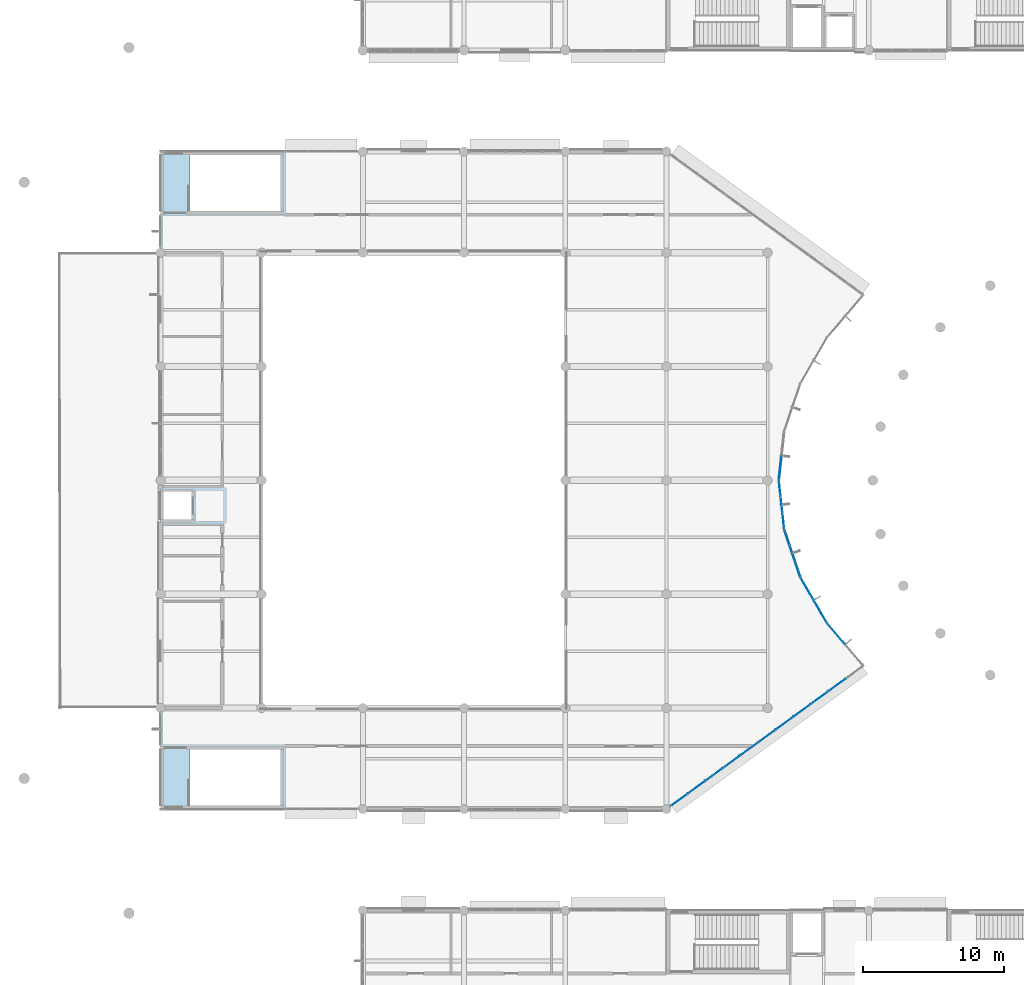
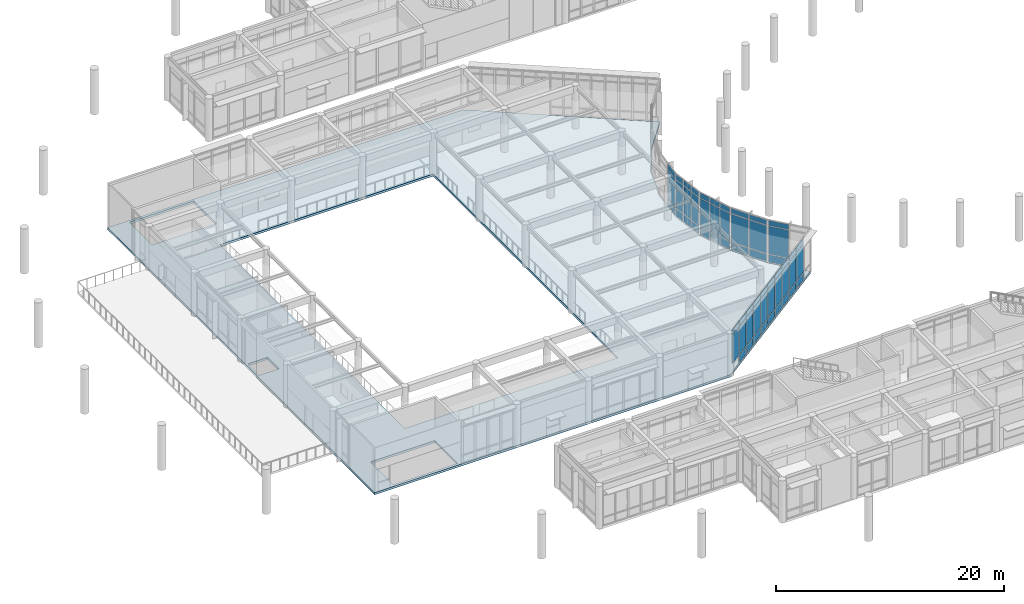
# One storey, part 36 of 92: 59 plates, 1 slab, 6 elements without a shape of their own.
"""IFC4 building model written with IfcOpenShell, lengths in metres."""

from ifc_helpers import new_model, si_unit, direction, frame, origin, origin_2d, place, context, subcontext, project, spatial, polyline, rectangle, outline, extrude, material, layer, layer_set, type_object, element, aggregate, save


model = new_model("IFC4")

# Units and contexts
model_context = context("Model", 3, precision=1e-05, world=origin(), true_north=direction((0.0, 1.0)))
body_context = subcontext(model_context, "Body", "Model", "MODEL_VIEW")
ifc_project = project(units=[si_unit("LENGTHUNIT", "METRE"), si_unit("AREAUNIT", "SQUARE_METRE"), si_unit("VOLUMEUNIT", "CUBIC_METRE"), si_unit("PLANEANGLEUNIT", "RADIAN"), si_unit("MASSUNIT", "GRAM", prefix="KILO")], contexts=[model_context])

# Site, building, storey
site_placement = place(None, origin())
site = spatial("IfcSite", under=ifc_project, at=site_placement, CompositionType="ELEMENT")
building_placement = place(site_placement, origin())
building = spatial("IfcBuilding", under=site, at=building_placement, Name="Namkhue Oval Health Centre", CompositionType="ELEMENT")
storey_placement = place(building_placement, frame((0.0, 0.0, 4.800048828125)))
storey = spatial("IfcBuildingStorey", under=building, at=storey_placement, Name="L01", CompositionType="ELEMENT", Elevation=4.800048828125)

# Curtain wall, plates
ifc_material_1 = material(Name="Anodised aluminium EN AW-6063 T6", Category="aluminium")
ifc_layer_1 = layer(ifc_material_1, 0.159912109375)
ifc_layer_set_1 = layer_set([ifc_layer_1], Name="Anodised aluminium EN AW-6063 T6")
curtain_wall_type_1 = type_object("IfcCurtainWallType", Name="UNITISED CURTAIN WALL M1200", PredefinedType="NOTDEFINED", material=ifc_layer_set_1)
curtain_wall_1_placement = place(storey_placement, origin())
curtain_wall_1 = element("IfcCurtainWall", 1, at=curtain_wall_1_placement, inside=storey, type_object=curtain_wall_type_1, Name="Volume V1 L01 Unitised Curtain Wall 25", PredefinedType="NOTDEFINED")
ifc_material_2 = material(Name="Thermally broken low-E laminated double glazing", Category="glass")
ifc_layer_2 = layer(ifc_material_2, 0.02587890625)
ifc_layer_set_2 = layer_set([ifc_layer_2], Name="Thermally broken low-E laminated double glazing")
plate_type_1 = type_object("IfcPlateType", Name="CURTAIN WALL GLAZED PANEL 26", PredefinedType="CURTAIN_PANEL", material=ifc_layer_set_2)
plate_1_placement = place(storey_placement, frame((66.94091796875, 53.083984375, 0.06494140625), z_axis=(0.0, 0.0, 1.0), x_axis=(-0.319641520458, 0.947538547184, 0.0)))
plate_1 = element("IfcPlate", 2, at=plate_1_placement, type_object=plate_type_1, Name="CW-01 panel 1.1", PredefinedType="CURTAIN_PANEL", context=body_context, shape_type="SweptSolid", body=[
    extrude(rectangle(XDim=1.102783203125, YDim=0.02587890625, at=origin_2d()), origin(), (0.0, 0.0, 1.0), 0.802490234375),
])
plate_2_placement = place(storey_placement, frame((66.94091796875, 53.083984375, 0.9326171875), z_axis=(0.0, 0.0, 1.0), x_axis=(-0.319641520458, 0.947538547184, 0.0)))
plate_2 = element("IfcPlate", 3, at=plate_2_placement, type_object=plate_type_1, Name="CW-01 panel 1.2", PredefinedType="CURTAIN_PANEL", context=body_context, shape_type="SweptSolid", body=[
    extrude(rectangle(XDim=1.102783203125, YDim=0.02587890625, at=origin_2d()), origin(), (0.0, 0.0, 1.0), 2.985107421875),
])
plate_3_placement = place(storey_placement, frame((66.94091796875, 53.083984375, 3.982421875), z_axis=(0.0, 0.0, 1.0), x_axis=(-0.319641520458, 0.947538547184, 0.0)))
plate_3 = element("IfcPlate", 4, at=plate_3_placement, type_object=plate_type_1, Name="CW-01 panel 1.3", PredefinedType="CURTAIN_PANEL", context=body_context, shape_type="SweptSolid", body=[
    extrude(rectangle(XDim=1.102783203125, YDim=0.02587890625, at=origin_2d()), origin(), (0.0, 0.0, 1.0), 0.552490234375),
])
plate_4_placement = place(storey_placement, frame((66.5625, 54.2060546875, 0.06494140625), z_axis=(0.0, 0.0, 1.0), x_axis=(-0.319641520458, 0.947538547184, 0.0)))
plate_4 = element("IfcPlate", 5, at=plate_4_placement, type_object=plate_type_1, Name="CW-01 panel 2.1", PredefinedType="CURTAIN_PANEL", context=body_context, shape_type="SweptSolid", body=[
    extrude(rectangle(XDim=1.13525390625, YDim=0.02587890625, at=origin_2d()), origin(), (0.0, 0.0, 1.0), 0.802490234375),
])
plate_5_placement = place(storey_placement, frame((66.5625, 54.2060546875, 0.9326171875), z_axis=(0.0, 0.0, 1.0), x_axis=(-0.319641520458, 0.947538547184, 0.0)))
plate_5 = element("IfcPlate", 6, at=plate_5_placement, type_object=plate_type_1, Name="CW-01 panel 2.2", PredefinedType="CURTAIN_PANEL", context=body_context, shape_type="SweptSolid", body=[
    extrude(rectangle(XDim=1.13525390625, YDim=0.02587890625, at=origin_2d()), origin(), (0.0, 0.0, 1.0), 2.985107421875),
])
plate_6_placement = place(storey_placement, frame((66.5625, 54.2060546875, 3.982421875), z_axis=(0.0, 0.0, 1.0), x_axis=(-0.319641520458, 0.947538547184, 0.0)))
plate_6 = element("IfcPlate", 7, at=plate_6_placement, type_object=plate_type_1, Name="CW-01 panel 2.3", PredefinedType="CURTAIN_PANEL", context=body_context, shape_type="SweptSolid", body=[
    extrude(rectangle(XDim=1.13525390625, YDim=0.02587890625, at=origin_2d()), origin(), (0.0, 0.0, 1.0), 0.552490234375),
])
plate_7_placement = place(storey_placement, frame((66.18408203125, 55.327880859375, 0.06494140625), z_axis=(0.0, 0.0, 1.0), x_axis=(-0.319641520458, 0.947538547184, 0.0)))
plate_7 = element("IfcPlate", 8, at=plate_7_placement, type_object=plate_type_1, Name="CW-01 panel 3.1", PredefinedType="CURTAIN_PANEL", context=body_context, shape_type="SweptSolid", body=[
    extrude(rectangle(XDim=1.102783203125, YDim=0.02587890625, at=origin_2d()), origin(), (0.0, 0.0, 1.0), 0.802490234375),
])
plate_8_placement = place(storey_placement, frame((66.18408203125, 55.327880859375, 0.9326171875), z_axis=(0.0, 0.0, 1.0), x_axis=(-0.319641520458, 0.947538547184, 0.0)))
plate_8 = element("IfcPlate", 9, at=plate_8_placement, type_object=plate_type_1, Name="CW-01 panel 3.2", PredefinedType="CURTAIN_PANEL", context=body_context, shape_type="SweptSolid", body=[
    extrude(rectangle(XDim=1.102783203125, YDim=0.02587890625, at=origin_2d()), origin(), (0.0, 0.0, 1.0), 2.985107421875),
])
plate_9_placement = place(storey_placement, frame((66.18408203125, 55.327880859375, 3.982421875), z_axis=(0.0, 0.0, 1.0), x_axis=(-0.319641520458, 0.947538547184, 0.0)))
plate_9 = element("IfcPlate", 10, at=plate_9_placement, type_object=plate_type_1, Name="CW-01 panel 3.3", PredefinedType="CURTAIN_PANEL", context=body_context, shape_type="SweptSolid", body=[
    extrude(rectangle(XDim=1.102783203125, YDim=0.02587890625, at=origin_2d()), origin(), (0.0, 0.0, 1.0), 0.552490234375),
])
aggregate(curtain_wall_1, [plate_1, plate_2, plate_3, plate_4, plate_5, plate_6, plate_7, plate_8, plate_9])

ifc_layer_3 = layer(ifc_material_1, 0.159912109375)
ifc_layer_set_3 = layer_set([ifc_layer_3], Name="Anodised aluminium EN AW-6063 T6")
curtain_wall_type_2 = type_object("IfcCurtainWallType", Name="UNITISED CURTAIN WALL M1600", PredefinedType="NOTDEFINED", material=ifc_layer_set_3)
curtain_wall_2_placement = place(storey_placement, origin())
curtain_wall_2 = element("IfcCurtainWall", 11, at=curtain_wall_2_placement, inside=storey, type_object=curtain_wall_type_2, Name="Volume V1 L01 Unitised Curtain Wall 22", PredefinedType="NOTDEFINED")
ifc_layer_4 = layer(ifc_material_2, 0.028076171875)
ifc_layer_set_4 = layer_set([ifc_layer_4], Name="Thermally broken low-E laminated double glazing")
plate_type_2 = type_object("IfcPlateType", Name="CURTAIN WALL GLAZED PANEL 28", PredefinedType="CURTAIN_PANEL", material=ifc_layer_set_4)
plate_10_placement = place(storey_placement, frame((58.5107421875, 36.662841796875, 0.9375), z_axis=(0.0, 0.0, 1.0), x_axis=(0.808513999682, 0.588476942894, 0.0)))
plate_10 = element("IfcPlate", 12, at=plate_10_placement, type_object=plate_type_2, Name="CW-04 panel 1.2", PredefinedType="CURTAIN_PANEL", context=body_context, shape_type="SweptSolid", body=[
    extrude(rectangle(XDim=1.433349609375, YDim=0.028076171875, at=origin_2d()), origin(), (0.0, 0.0, 1.0), 2.97509765625),
])
plate_11_placement = place(storey_placement, frame((58.5107421875, 36.662841796875, 3.9873046875), z_axis=(0.0, 0.0, 1.0), x_axis=(0.808513999682, 0.588476942894, 0.0)))
plate_11 = element("IfcPlate", 13, at=plate_11_placement, type_object=plate_type_2, Name="CW-04 panel 1.3", PredefinedType="CURTAIN_PANEL", context=body_context, shape_type="SweptSolid", body=[
    extrude(rectangle(XDim=1.433349609375, YDim=0.028076171875, at=origin_2d()), origin(), (0.0, 0.0, 1.0), 0.53759765625),
])
plate_12_placement = place(storey_placement, frame((59.745361328125, 37.5615234375, 0.074951171875), z_axis=(0.0, 0.0, 1.0), x_axis=(0.808513999682, 0.588476942894, 0.0)))
plate_12 = element("IfcPlate", 14, at=plate_12_placement, type_object=plate_type_2, Name="CW-04 panel 2.1", PredefinedType="CURTAIN_PANEL", context=body_context, shape_type="SweptSolid", body=[
    extrude(rectangle(XDim=1.470703125, YDim=0.028076171875, at=origin_2d()), origin(), (0.0, 0.0, 1.0), 0.78759765625),
])
plate_13_placement = place(storey_placement, frame((59.745361328125, 37.5615234375, 0.9375), z_axis=(0.0, 0.0, 1.0), x_axis=(0.808513999682, 0.588476942894, 0.0)))
plate_13 = element("IfcPlate", 15, at=plate_13_placement, type_object=plate_type_2, Name="CW-04 panel 2.2", PredefinedType="CURTAIN_PANEL", context=body_context, shape_type="SweptSolid", body=[
    extrude(rectangle(XDim=1.470703125, YDim=0.028076171875, at=origin_2d()), origin(), (0.0, 0.0, 1.0), 2.97509765625),
])
plate_14_placement = place(storey_placement, frame((59.745361328125, 37.5615234375, 3.9873046875), z_axis=(0.0, 0.0, 1.0), x_axis=(0.808513999682, 0.588476942894, 0.0)))
plate_14 = element("IfcPlate", 16, at=plate_14_placement, type_object=plate_type_2, Name="CW-04 panel 2.3", PredefinedType="CURTAIN_PANEL", context=body_context, shape_type="SweptSolid", body=[
    extrude(rectangle(XDim=1.470703125, YDim=0.028076171875, at=origin_2d()), origin(), (0.0, 0.0, 1.0), 0.53759765625),
])
plate_15_placement = place(storey_placement, frame((60.9951171875, 38.47119140625, 0.074951171875), z_axis=(0.0, 0.0, 1.0), x_axis=(0.808513999682, 0.588476942894, 0.0)))
plate_15 = element("IfcPlate", 17, at=plate_15_placement, type_object=plate_type_2, Name="CW-04 panel 3.1", PredefinedType="CURTAIN_PANEL", context=body_context, shape_type="SweptSolid", body=[
    extrude(rectangle(XDim=1.470703125, YDim=0.028076171875, at=origin_2d()), origin(), (0.0, 0.0, 1.0), 0.78759765625),
])
plate_16_placement = place(storey_placement, frame((60.9951171875, 38.47119140625, 0.9375), z_axis=(0.0, 0.0, 1.0), x_axis=(0.808513999682, 0.588476942894, 0.0)))
plate_16 = element("IfcPlate", 18, at=plate_16_placement, type_object=plate_type_2, Name="CW-04 panel 3.2", PredefinedType="CURTAIN_PANEL", context=body_context, shape_type="SweptSolid", body=[
    extrude(rectangle(XDim=1.470703125, YDim=0.028076171875, at=origin_2d()), origin(), (0.0, 0.0, 1.0), 2.97509765625),
])
plate_17_placement = place(storey_placement, frame((60.9951171875, 38.47119140625, 3.9873046875), z_axis=(0.0, 0.0, 1.0), x_axis=(0.808513999682, 0.588476942894, 0.0)))
plate_17 = element("IfcPlate", 19, at=plate_17_placement, type_object=plate_type_2, Name="CW-04 panel 3.3", PredefinedType="CURTAIN_PANEL", context=body_context, shape_type="SweptSolid", body=[
    extrude(rectangle(XDim=1.470703125, YDim=0.028076171875, at=origin_2d()), origin(), (0.0, 0.0, 1.0), 0.53759765625),
])
plate_18_placement = place(storey_placement, frame((62.244873046875, 39.380859375, 0.074951171875), z_axis=(0.0, 0.0, 1.0), x_axis=(0.808513999682, 0.588476942894, 0.0)))
plate_18 = element("IfcPlate", 20, at=plate_18_placement, type_object=plate_type_2, Name="CW-04 panel 4.1", PredefinedType="CURTAIN_PANEL", context=body_context, shape_type="SweptSolid", body=[
    extrude(rectangle(XDim=1.470703125, YDim=0.028076171875, at=origin_2d()), origin(), (0.0, 0.0, 1.0), 0.78759765625),
])
plate_19_placement = place(storey_placement, frame((62.244873046875, 39.380859375, 0.9375), z_axis=(0.0, 0.0, 1.0), x_axis=(0.808513999682, 0.588476942894, 0.0)))
plate_19 = element("IfcPlate", 21, at=plate_19_placement, type_object=plate_type_2, Name="CW-04 panel 4.2", PredefinedType="CURTAIN_PANEL", context=body_context, shape_type="SweptSolid", body=[
    extrude(rectangle(XDim=1.470703125, YDim=0.028076171875, at=origin_2d()), origin(), (0.0, 0.0, 1.0), 2.97509765625),
])
plate_20_placement = place(storey_placement, frame((62.244873046875, 39.380859375, 3.9873046875), z_axis=(0.0, 0.0, 1.0), x_axis=(0.808513999682, 0.588476942894, 0.0)))
plate_20 = element("IfcPlate", 22, at=plate_20_placement, type_object=plate_type_2, Name="CW-04 panel 4.3", PredefinedType="CURTAIN_PANEL", context=body_context, shape_type="SweptSolid", body=[
    extrude(rectangle(XDim=1.470703125, YDim=0.028076171875, at=origin_2d()), origin(), (0.0, 0.0, 1.0), 0.53759765625),
])
plate_21_placement = place(storey_placement, frame((63.49462890625, 40.29052734375, 0.074951171875), z_axis=(0.0, 0.0, 1.0), x_axis=(0.808513999682, 0.588476942894, 0.0)))
plate_21 = element("IfcPlate", 23, at=plate_21_placement, type_object=plate_type_2, Name="CW-04 panel 5.1", PredefinedType="CURTAIN_PANEL", context=body_context, shape_type="SweptSolid", body=[
    extrude(rectangle(XDim=1.470703125, YDim=0.028076171875, at=origin_2d()), origin(), (0.0, 0.0, 1.0), 0.78759765625),
])
plate_22_placement = place(storey_placement, frame((63.49462890625, 40.29052734375, 0.9375), z_axis=(0.0, 0.0, 1.0), x_axis=(0.808513999682, 0.588476942894, 0.0)))
plate_22 = element("IfcPlate", 24, at=plate_22_placement, type_object=plate_type_2, Name="CW-04 panel 5.2", PredefinedType="CURTAIN_PANEL", context=body_context, shape_type="SweptSolid", body=[
    extrude(rectangle(XDim=1.470703125, YDim=0.028076171875, at=origin_2d()), origin(), (0.0, 0.0, 1.0), 2.97509765625),
])
plate_23_placement = place(storey_placement, frame((63.49462890625, 40.29052734375, 3.9873046875), z_axis=(0.0, 0.0, 1.0), x_axis=(0.808513999682, 0.588476942894, 0.0)))
plate_23 = element("IfcPlate", 25, at=plate_23_placement, type_object=plate_type_2, Name="CW-04 panel 5.3", PredefinedType="CURTAIN_PANEL", context=body_context, shape_type="SweptSolid", body=[
    extrude(rectangle(XDim=1.470703125, YDim=0.028076171875, at=origin_2d()), origin(), (0.0, 0.0, 1.0), 0.53759765625),
])
plate_24_placement = place(storey_placement, frame((64.744384765625, 41.199951171875, 0.074951171875), z_axis=(0.0, 0.0, 1.0), x_axis=(0.808513999682, 0.588476942894, 0.0)))
plate_24 = element("IfcPlate", 26, at=plate_24_placement, type_object=plate_type_2, Name="CW-04 panel 6.1", PredefinedType="CURTAIN_PANEL", context=body_context, shape_type="SweptSolid", body=[
    extrude(rectangle(XDim=1.470703125, YDim=0.028076171875, at=origin_2d()), origin(), (0.0, 0.0, 1.0), 0.78759765625),
])
plate_25_placement = place(storey_placement, frame((64.744384765625, 41.199951171875, 0.9375), z_axis=(0.0, 0.0, 1.0), x_axis=(0.808513999682, 0.588476942894, 0.0)))
plate_25 = element("IfcPlate", 27, at=plate_25_placement, type_object=plate_type_2, Name="CW-04 panel 6.2", PredefinedType="CURTAIN_PANEL", context=body_context, shape_type="SweptSolid", body=[
    extrude(rectangle(XDim=1.470703125, YDim=0.028076171875, at=origin_2d()), origin(), (0.0, 0.0, 1.0), 2.97509765625),
])
plate_26_placement = place(storey_placement, frame((64.744384765625, 41.199951171875, 3.9873046875), z_axis=(0.0, 0.0, 1.0), x_axis=(0.808513999682, 0.588476942894, 0.0)))
plate_26 = element("IfcPlate", 28, at=plate_26_placement, type_object=plate_type_2, Name="CW-04 panel 6.3", PredefinedType="CURTAIN_PANEL", context=body_context, shape_type="SweptSolid", body=[
    extrude(rectangle(XDim=1.470703125, YDim=0.028076171875, at=origin_2d()), origin(), (0.0, 0.0, 1.0), 0.53759765625),
])
plate_27_placement = place(storey_placement, frame((65.994140625, 42.109619140625, 0.074951171875), z_axis=(0.0, 0.0, 1.0), x_axis=(0.808513999682, 0.588476942894, 0.0)))
plate_27 = element("IfcPlate", 29, at=plate_27_placement, type_object=plate_type_2, Name="CW-04 panel 7.1", PredefinedType="CURTAIN_PANEL", context=body_context, shape_type="SweptSolid", body=[
    extrude(rectangle(XDim=1.470703125, YDim=0.028076171875, at=origin_2d()), origin(), (0.0, 0.0, 1.0), 0.78759765625),
])
plate_28_placement = place(storey_placement, frame((65.994140625, 42.109619140625, 0.9375), z_axis=(0.0, 0.0, 1.0), x_axis=(0.808513999682, 0.588476942894, 0.0)))
plate_28 = element("IfcPlate", 30, at=plate_28_placement, type_object=plate_type_2, Name="CW-04 panel 7.2", PredefinedType="CURTAIN_PANEL", context=body_context, shape_type="SweptSolid", body=[
    extrude(rectangle(XDim=1.470703125, YDim=0.028076171875, at=origin_2d()), origin(), (0.0, 0.0, 1.0), 2.97509765625),
])
plate_29_placement = place(storey_placement, frame((65.994140625, 42.109619140625, 3.9873046875), z_axis=(0.0, 0.0, 1.0), x_axis=(0.808513999682, 0.588476942894, 0.0)))
plate_29 = element("IfcPlate", 31, at=plate_29_placement, type_object=plate_type_2, Name="CW-04 panel 7.3", PredefinedType="CURTAIN_PANEL", context=body_context, shape_type="SweptSolid", body=[
    extrude(rectangle(XDim=1.470703125, YDim=0.028076171875, at=origin_2d()), origin(), (0.0, 0.0, 1.0), 0.53759765625),
])
plate_30_placement = place(storey_placement, frame((67.243896484375, 43.019287109375, 0.074951171875), z_axis=(0.0, 0.0, 1.0), x_axis=(0.808513999682, 0.588476942894, 0.0)))
plate_30 = element("IfcPlate", 32, at=plate_30_placement, type_object=plate_type_2, Name="CW-04 panel 8.1", PredefinedType="CURTAIN_PANEL", context=body_context, shape_type="SweptSolid", body=[
    extrude(rectangle(XDim=1.470703125, YDim=0.028076171875, at=origin_2d()), origin(), (0.0, 0.0, 1.0), 0.78759765625),
])
plate_31_placement = place(storey_placement, frame((67.243896484375, 43.019287109375, 0.9375), z_axis=(0.0, 0.0, 1.0), x_axis=(0.808513999682, 0.588476942894, 0.0)))
plate_31 = element("IfcPlate", 33, at=plate_31_placement, type_object=plate_type_2, Name="CW-04 panel 8.2", PredefinedType="CURTAIN_PANEL", context=body_context, shape_type="SweptSolid", body=[
    extrude(rectangle(XDim=1.470703125, YDim=0.028076171875, at=origin_2d()), origin(), (0.0, 0.0, 1.0), 2.97509765625),
])
plate_32_placement = place(storey_placement, frame((67.243896484375, 43.019287109375, 3.9873046875), z_axis=(0.0, 0.0, 1.0), x_axis=(0.808513999682, 0.588476942894, 0.0)))
plate_32 = element("IfcPlate", 34, at=plate_32_placement, type_object=plate_type_2, Name="CW-04 panel 8.3", PredefinedType="CURTAIN_PANEL", context=body_context, shape_type="SweptSolid", body=[
    extrude(rectangle(XDim=1.470703125, YDim=0.028076171875, at=origin_2d()), origin(), (0.0, 0.0, 1.0), 0.53759765625),
])
plate_33_placement = place(storey_placement, frame((68.49365234375, 43.928955078125, 0.074951171875), z_axis=(0.0, 0.0, 1.0), x_axis=(0.808513999682, 0.588476942894, 0.0)))
plate_33 = element("IfcPlate", 35, at=plate_33_placement, type_object=plate_type_2, Name="CW-04 panel 9.1", PredefinedType="CURTAIN_PANEL", context=body_context, shape_type="SweptSolid", body=[
    extrude(rectangle(XDim=1.470703125, YDim=0.028076171875, at=origin_2d()), origin(), (0.0, 0.0, 1.0), 0.78759765625),
])
plate_34_placement = place(storey_placement, frame((68.49365234375, 43.928955078125, 0.9375), z_axis=(0.0, 0.0, 1.0), x_axis=(0.808513999682, 0.588476942894, 0.0)))
plate_34 = element("IfcPlate", 36, at=plate_34_placement, type_object=plate_type_2, Name="CW-04 panel 9.2", PredefinedType="CURTAIN_PANEL", context=body_context, shape_type="SweptSolid", body=[
    extrude(rectangle(XDim=1.470703125, YDim=0.028076171875, at=origin_2d()), origin(), (0.0, 0.0, 1.0), 2.97509765625),
])
plate_35_placement = place(storey_placement, frame((68.49365234375, 43.928955078125, 3.9873046875), z_axis=(0.0, 0.0, 1.0), x_axis=(0.808513999682, 0.588476942894, 0.0)))
plate_35 = element("IfcPlate", 37, at=plate_35_placement, type_object=plate_type_2, Name="CW-04 panel 9.3", PredefinedType="CURTAIN_PANEL", context=body_context, shape_type="SweptSolid", body=[
    extrude(rectangle(XDim=1.470703125, YDim=0.028076171875, at=origin_2d()), origin(), (0.0, 0.0, 1.0), 0.53759765625),
])
plate_36_placement = place(storey_placement, frame((69.743408203125, 44.838623046875, 0.074951171875), z_axis=(0.0, 0.0, 1.0), x_axis=(0.808513999682, 0.588476942894, 0.0)))
plate_36 = element("IfcPlate", 38, at=plate_36_placement, type_object=plate_type_2, Name="CW-04 panel 10.1", PredefinedType="CURTAIN_PANEL", context=body_context, shape_type="SweptSolid", body=[
    extrude(rectangle(XDim=1.470703125, YDim=0.028076171875, at=origin_2d()), origin(), (0.0, 0.0, 1.0), 0.78759765625),
])
plate_37_placement = place(storey_placement, frame((69.743408203125, 44.838623046875, 0.9375), z_axis=(0.0, 0.0, 1.0), x_axis=(0.808513999682, 0.588476942894, 0.0)))
plate_37 = element("IfcPlate", 39, at=plate_37_placement, type_object=plate_type_2, Name="CW-04 panel 10.2", PredefinedType="CURTAIN_PANEL", context=body_context, shape_type="SweptSolid", body=[
    extrude(rectangle(XDim=1.470703125, YDim=0.028076171875, at=origin_2d()), origin(), (0.0, 0.0, 1.0), 2.97509765625),
])
plate_38_placement = place(storey_placement, frame((69.743408203125, 44.838623046875, 3.9873046875), z_axis=(0.0, 0.0, 1.0), x_axis=(0.808513999682, 0.588476942894, 0.0)))
plate_38 = element("IfcPlate", 40, at=plate_38_placement, type_object=plate_type_2, Name="CW-04 panel 10.3", PredefinedType="CURTAIN_PANEL", context=body_context, shape_type="SweptSolid", body=[
    extrude(rectangle(XDim=1.470703125, YDim=0.028076171875, at=origin_2d()), origin(), (0.0, 0.0, 1.0), 0.53759765625),
])
aggregate(curtain_wall_2, [plate_10, plate_11, plate_12, plate_13, plate_14, plate_15, plate_16, plate_17, plate_18, plate_19, plate_20, plate_21, plate_22, plate_23, plate_24, plate_25, plate_26, plate_27, plate_28, plate_29, plate_30, plate_31, plate_32, plate_33, plate_34, plate_35, plate_36, plate_37, plate_38])

ifc_layer_5 = layer(ifc_material_1, 0.159912109375)
ifc_layer_set_5 = layer_set([ifc_layer_5], Name="Anodised aluminium EN AW-6063 T6")
curtain_wall_type_3 = type_object("IfcCurtainWallType", Name="UNITISED CURTAIN WALL M1350", PredefinedType="NOTDEFINED", material=ifc_layer_set_5)
curtain_wall_3_placement = place(storey_placement, origin())
curtain_wall_3 = element("IfcCurtainWall", 41, at=curtain_wall_3_placement, inside=storey, type_object=curtain_wall_type_3, Name="Volume V1 L01 Unitised Curtain Wall 26", PredefinedType="NOTDEFINED")
plate_39_placement = place(storey_placement, frame((65.92041015625, 56.511962890625, 0.074951171875), z_axis=(0.0, 0.0, 1.0), x_axis=(-0.110275150425, 0.993901097292, 0.0)))
plate_39 = element("IfcPlate", 42, at=plate_39_placement, type_object=plate_type_2, Name="CW-02 panel 1.1", PredefinedType="CURTAIN_PANEL", context=body_context, shape_type="SweptSolid", body=[
    extrude(rectangle(XDim=1.057373046875, YDim=0.028076171875, at=origin_2d()), origin(), (0.0, 0.0, 1.0), 0.78759765625),
])
plate_40_placement = place(storey_placement, frame((65.92041015625, 56.511962890625, 0.9375), z_axis=(0.0, 0.0, 1.0), x_axis=(-0.110275150425, 0.993901097292, 0.0)))
plate_40 = element("IfcPlate", 43, at=plate_40_placement, type_object=plate_type_2, Name="CW-02 panel 1.2", PredefinedType="CURTAIN_PANEL", context=body_context, shape_type="SweptSolid", body=[
    extrude(rectangle(XDim=1.057373046875, YDim=0.028076171875, at=origin_2d()), origin(), (0.0, 0.0, 1.0), 2.97509765625),
])
plate_41_placement = place(storey_placement, frame((65.92041015625, 56.511962890625, 3.9873046875), z_axis=(0.0, 0.0, 1.0), x_axis=(-0.110275150425, 0.993901097292, 0.0)))
plate_41 = element("IfcPlate", 44, at=plate_41_placement, type_object=plate_type_2, Name="CW-02 panel 1.3", PredefinedType="CURTAIN_PANEL", context=body_context, shape_type="SweptSolid", body=[
    extrude(rectangle(XDim=1.057373046875, YDim=0.028076171875, at=origin_2d()), origin(), (0.0, 0.0, 1.0), 0.53759765625),
])
plate_42_placement = place(storey_placement, frame((65.79345703125, 57.656005859375, 0.074951171875), z_axis=(0.0, 0.0, 1.0), x_axis=(-0.110275150425, 0.993901097292, 0.0)))
plate_42 = element("IfcPlate", 45, at=plate_42_placement, type_object=plate_type_2, Name="CW-02 panel 2.1", PredefinedType="CURTAIN_PANEL", context=body_context, shape_type="SweptSolid", body=[
    extrude(rectangle(XDim=1.0947265625, YDim=0.028076171875, at=origin_2d()), origin(), (0.0, 0.0, 1.0), 0.78759765625),
])
plate_43_placement = place(storey_placement, frame((65.79345703125, 57.656005859375, 0.9375), z_axis=(0.0, 0.0, 1.0), x_axis=(-0.110275150425, 0.993901097292, 0.0)))
plate_43 = element("IfcPlate", 46, at=plate_43_placement, type_object=plate_type_2, Name="CW-02 panel 2.2", PredefinedType="CURTAIN_PANEL", context=body_context, shape_type="SweptSolid", body=[
    extrude(rectangle(XDim=1.0947265625, YDim=0.028076171875, at=origin_2d()), origin(), (0.0, 0.0, 1.0), 2.97509765625),
])
plate_44_placement = place(storey_placement, frame((65.79345703125, 57.656005859375, 3.9873046875), z_axis=(0.0, 0.0, 1.0), x_axis=(-0.110275150425, 0.993901097292, 0.0)))
plate_44 = element("IfcPlate", 47, at=plate_44_placement, type_object=plate_type_2, Name="CW-02 panel 2.3", PredefinedType="CURTAIN_PANEL", context=body_context, shape_type="SweptSolid", body=[
    extrude(rectangle(XDim=1.0947265625, YDim=0.028076171875, at=origin_2d()), origin(), (0.0, 0.0, 1.0), 0.53759765625),
])
plate_45_placement = place(storey_placement, frame((65.66650390625, 58.800048828125, 0.074951171875), z_axis=(0.0, 0.0, 1.0), x_axis=(-0.110275150425, 0.993901097292, 0.0)))
plate_45 = element("IfcPlate", 48, at=plate_45_placement, type_object=plate_type_2, Name="CW-02 panel 3.1", PredefinedType="CURTAIN_PANEL", context=body_context, shape_type="SweptSolid", body=[
    extrude(rectangle(XDim=1.057373046875, YDim=0.028076171875, at=origin_2d()), origin(), (0.0, 0.0, 1.0), 0.78759765625),
])
plate_46_placement = place(storey_placement, frame((65.66650390625, 58.800048828125, 0.9375), z_axis=(0.0, 0.0, 1.0), x_axis=(-0.110275150425, 0.993901097292, 0.0)))
plate_46 = element("IfcPlate", 49, at=plate_46_placement, type_object=plate_type_2, Name="CW-02 panel 3.2", PredefinedType="CURTAIN_PANEL", context=body_context, shape_type="SweptSolid", body=[
    extrude(rectangle(XDim=1.057373046875, YDim=0.028076171875, at=origin_2d()), origin(), (0.0, 0.0, 1.0), 2.97509765625),
])
plate_47_placement = place(storey_placement, frame((65.66650390625, 58.800048828125, 3.9873046875), z_axis=(0.0, 0.0, 1.0), x_axis=(-0.110275150425, 0.993901097292, 0.0)))
plate_47 = element("IfcPlate", 50, at=plate_47_placement, type_object=plate_type_2, Name="CW-02 panel 3.3", PredefinedType="CURTAIN_PANEL", context=body_context, shape_type="SweptSolid", body=[
    extrude(rectangle(XDim=1.057373046875, YDim=0.028076171875, at=origin_2d()), origin(), (0.0, 0.0, 1.0), 0.53759765625),
])
aggregate(curtain_wall_3, [plate_39, plate_40, plate_41, plate_42, plate_43, plate_44, plate_45, plate_46, plate_47])

ifc_layer_6 = layer(ifc_material_1, 0.159912109375)
ifc_layer_set_6 = layer_set([ifc_layer_6], Name="Anodised aluminium EN AW-6063 T6")
curtain_wall_type_4 = type_object("IfcCurtainWallType", Name="UNITISED CURTAIN WALL M1800", PredefinedType="NOTDEFINED", material=ifc_layer_set_6)
curtain_wall_4_placement = place(storey_placement, origin())
curtain_wall_4 = element("IfcCurtainWall", 51, at=curtain_wall_4_placement, inside=storey, type_object=curtain_wall_type_4, Name="Volume V1 L01 Unitised Curtain Wall 23", PredefinedType="NOTDEFINED")
ifc_material_3 = material(Name="Insulated anodised aluminium spandrel panel", Category="aluminium")
ifc_layer_7 = layer(ifc_material_3, 0.031982421875)
ifc_layer_set_7 = layer_set([ifc_layer_7], Name="Insulated anodised aluminium spandrel panel")
plate_type_3 = type_object("IfcPlateType", Name="CURTAIN WALL SPANDREL PANEL 32", PredefinedType="CURTAIN_PANEL", material=ifc_layer_set_7)
plate_48_placement = place(storey_placement, frame((69.686767578125, 48.46826171875, 0.06494140625), z_axis=(0.0, 0.0, 1.0), x_axis=(-0.648746071067, 0.761004950887, 0.0)))
plate_48 = element("IfcPlate", 52, at=plate_48_placement, type_object=plate_type_3, Name="CW-05 panel 2.1", PredefinedType="CURTAIN_PANEL", context=body_context, shape_type="SweptSolid", body=[
    extrude(rectangle(XDim=1.89794921875, YDim=0.031982421875, at=origin_2d()), origin(), (0.0, 0.0, 1.0), 0.802490234375),
])
plate_49_placement = place(storey_placement, frame((69.686767578125, 48.46826171875, 0.9326171875), z_axis=(0.0, 0.0, 1.0), x_axis=(-0.648746071067, 0.761004950887, 0.0)))
plate_49 = element("IfcPlate", 53, at=plate_49_placement, type_object=plate_type_3, Name="CW-05 panel 2.2", PredefinedType="CURTAIN_PANEL", context=body_context, shape_type="SweptSolid", body=[
    extrude(rectangle(XDim=1.89794921875, YDim=0.031982421875, at=origin_2d()), origin(), (0.0, 0.0, 1.0), 2.985107421875),
])
plate_50_placement = place(storey_placement, frame((69.686767578125, 48.46826171875, 3.982421875), z_axis=(0.0, 0.0, 1.0), x_axis=(-0.648746071067, 0.761004950887, 0.0)))
plate_50 = element("IfcPlate", 54, at=plate_50_placement, type_object=plate_type_3, Name="CW-05 panel 2.3", PredefinedType="CURTAIN_PANEL", context=body_context, shape_type="SweptSolid", body=[
    extrude(rectangle(XDim=1.89794921875, YDim=0.031982421875, at=origin_2d()), origin(), (0.0, 0.0, 1.0), 0.552490234375),
])
aggregate(curtain_wall_4, [plate_48, plate_49, plate_50])

ifc_layer_8 = layer(ifc_material_1, 0.159912109375)
ifc_layer_set_8 = layer_set([ifc_layer_8], Name="Anodised aluminium EN AW-6063 T6")
curtain_wall_type_5 = type_object("IfcCurtainWallType", Name="UNITISED CURTAIN WALL M1500", PredefinedType="NOTDEFINED", material=ifc_layer_set_8)
curtain_wall_5_placement = place(storey_placement, origin())
curtain_wall_5 = element("IfcCurtainWall", 55, at=curtain_wall_5_placement, inside=storey, type_object=curtain_wall_type_5, Name="Volume V1 L01 Unitised Curtain Wall 27", PredefinedType="NOTDEFINED")
plate_51_placement = place(storey_placement, frame((65.698486328125, 60.2880859375, 0.06494140625), z_axis=(0.0, 0.0, 1.0), x_axis=(0.110275150425, 0.993901097292, 0.0)))
plate_51 = element("IfcPlate", 56, at=plate_51_placement, type_object=plate_type_3, Name="CW-03 panel 1.1", PredefinedType="CURTAIN_PANEL", context=body_context, shape_type="SweptSolid", body=[
    extrude(rectangle(XDim=1.6572265625, YDim=0.031982421875, at=origin_2d()), origin(), (0.0, 0.0, 1.0), 0.802490234375),
])
plate_52_placement = place(storey_placement, frame((65.698486328125, 60.2880859375, 0.9326171875), z_axis=(0.0, 0.0, 1.0), x_axis=(0.110275150425, 0.993901097292, 0.0)))
plate_52 = element("IfcPlate", 57, at=plate_52_placement, type_object=plate_type_3, Name="CW-03 panel 1.2", PredefinedType="CURTAIN_PANEL", context=body_context, shape_type="SweptSolid", body=[
    extrude(rectangle(XDim=1.6572265625, YDim=0.031982421875, at=origin_2d()), origin(), (0.0, 0.0, 1.0), 2.985107421875),
])
plate_53_placement = place(storey_placement, frame((65.698486328125, 60.2880859375, 3.982421875), z_axis=(0.0, 0.0, 1.0), x_axis=(0.110275150425, 0.993901097292, 0.0)))
plate_53 = element("IfcPlate", 58, at=plate_53_placement, type_object=plate_type_3, Name="CW-03 panel 1.3", PredefinedType="CURTAIN_PANEL", context=body_context, shape_type="SweptSolid", body=[
    extrude(rectangle(XDim=1.6572265625, YDim=0.031982421875, at=origin_2d()), origin(), (0.0, 0.0, 1.0), 0.552490234375),
])
aggregate(curtain_wall_5, [plate_51, plate_52, plate_53])

ifc_layer_9 = layer(ifc_material_1, 0.159912109375)
ifc_layer_set_9 = layer_set([ifc_layer_9], Name="Anodised aluminium EN AW-6063 T6")
curtain_wall_type_6 = type_object("IfcCurtainWallType", Name="UNITISED CURTAIN WALL M2000", PredefinedType="NOTDEFINED", material=ifc_layer_set_9)
curtain_wall_6_placement = place(storey_placement, origin())
curtain_wall_6 = element("IfcCurtainWall", 59, at=curtain_wall_6_placement, inside=storey, type_object=curtain_wall_type_6, Name="Volume V1 L01 Unitised Curtain Wall 24", PredefinedType="NOTDEFINED")
ifc_layer_10 = layer(ifc_material_3, 0.035888671875)
ifc_layer_set_10 = layer_set([ifc_layer_10], Name="Insulated anodised aluminium spandrel panel")
plate_type_4 = type_object("IfcPlateType", Name="CURTAIN WALL SPANDREL PANEL 36", PredefinedType="CURTAIN_PANEL", material=ifc_layer_set_10)
plate_54_placement = place(storey_placement, frame((68.546875, 50.0712890625, 0.074951171875), z_axis=(0.0, 0.0, 1.0), x_axis=(-0.501757798896, 0.865008156752, 0.0)))
plate_54 = element("IfcPlate", 60, at=plate_54_placement, type_object=plate_type_4, Name="CW-06 panel 1.1", PredefinedType="CURTAIN_PANEL", context=body_context, shape_type="SweptSolid", body=[
    extrude(rectangle(XDim=1.77197265625, YDim=0.035888671875, at=origin_2d()), origin(), (0.0, 0.0, 1.0), 0.78759765625),
])
plate_55_placement = place(storey_placement, frame((68.546875, 50.0712890625, 0.9375), z_axis=(0.0, 0.0, 1.0), x_axis=(-0.501757798896, 0.865008156752, 0.0)))
plate_55 = element("IfcPlate", 61, at=plate_55_placement, type_object=plate_type_4, Name="CW-06 panel 1.2", PredefinedType="CURTAIN_PANEL", context=body_context, shape_type="SweptSolid", body=[
    extrude(rectangle(XDim=1.77197265625, YDim=0.035888671875, at=origin_2d()), origin(), (0.0, 0.0, 1.0), 2.97509765625),
])
plate_56_placement = place(storey_placement, frame((68.546875, 50.0712890625, 3.9873046875), z_axis=(0.0, 0.0, 1.0), x_axis=(-0.501757798896, 0.865008156752, 0.0)))
plate_56 = element("IfcPlate", 62, at=plate_56_placement, type_object=plate_type_4, Name="CW-06 panel 1.3", PredefinedType="CURTAIN_PANEL", context=body_context, shape_type="SweptSolid", body=[
    extrude(rectangle(XDim=1.77197265625, YDim=0.035888671875, at=origin_2d()), origin(), (0.0, 0.0, 1.0), 0.53759765625),
])
plate_57_placement = place(storey_placement, frame((67.6201171875, 51.668701171875, 0.074951171875), z_axis=(0.0, 0.0, 1.0), x_axis=(-0.501757798896, 0.865008156752, 0.0)))
plate_57 = element("IfcPlate", 63, at=plate_57_placement, type_object=plate_type_4, Name="CW-06 panel 2.1", PredefinedType="CURTAIN_PANEL", context=body_context, shape_type="SweptSolid", body=[
    extrude(rectangle(XDim=1.77197265625, YDim=0.035888671875, at=origin_2d()), origin(), (0.0, 0.0, 1.0), 0.78759765625),
])
plate_58_placement = place(storey_placement, frame((67.6201171875, 51.668701171875, 0.9375), z_axis=(0.0, 0.0, 1.0), x_axis=(-0.501757798896, 0.865008156752, 0.0)))
plate_58 = element("IfcPlate", 64, at=plate_58_placement, type_object=plate_type_4, Name="CW-06 panel 2.2", PredefinedType="CURTAIN_PANEL", context=body_context, shape_type="SweptSolid", body=[
    extrude(rectangle(XDim=1.77197265625, YDim=0.035888671875, at=origin_2d()), origin(), (0.0, 0.0, 1.0), 2.97509765625),
])
plate_59_placement = place(storey_placement, frame((67.6201171875, 51.668701171875, 3.9873046875), z_axis=(0.0, 0.0, 1.0), x_axis=(-0.501757798896, 0.865008156752, 0.0)))
plate_59 = element("IfcPlate", 65, at=plate_59_placement, type_object=plate_type_4, Name="CW-06 panel 2.3", PredefinedType="CURTAIN_PANEL", context=body_context, shape_type="SweptSolid", body=[
    extrude(rectangle(XDim=1.77197265625, YDim=0.035888671875, at=origin_2d()), origin(), (0.0, 0.0, 1.0), 0.53759765625),
])
aggregate(curtain_wall_6, [plate_54, plate_55, plate_56, plate_57, plate_58, plate_59])

# Slab
ifc_material_4 = material(Name="Reinforced concrete C30/37 (TCVN B35)", Category="concrete")
ifc_layer_11 = layer(ifc_material_4, 0.235107421875)
ifc_layer_set_11 = layer_set([ifc_layer_11], Name="Reinforced concrete C30/37 (TCVN B35)")
slab_type = type_object("IfcSlabType", Name="SUSPENDED FLOOR SLAB 235", PredefinedType="FLOOR", material=ifc_layer_set_11)
slab_placement = place(storey_placement, frame((0.0, 0.0, -0.235107421875)))
element("IfcSlab", 66, at=slab_placement, inside=storey, type_object=slab_type, Name="Volume V1 L01 Suspended Floor Slab", PredefinedType="FLOOR", context=body_context, shape_type="SweptSolid", body=[
    extrude(outline(polyline([(21.60009765625, 36.0), (57.60009765625, 36.0), (71.617919921875, 46.202880859375), (69.029052734375, 49.239990234375), (67.137939453125, 52.5), (65.987060546875, 55.912109375), (65.60009765625, 59.39990234375), (65.987060546875, 62.887939453125), (67.137939453125, 66.300048828125), (69.029052734375, 69.56005859375), (71.617919921875, 72.596923828125), (57.60009765625, 82.800048828125), (21.60009765625, 82.800048828125), (21.60009765625, 36.0)]), holes=[polyline([(28.800048828125, 43.199951171875), (50.39990234375, 43.199951171875), (50.39990234375, 75.60009765625), (28.800048828125, 75.60009765625), (28.800048828125, 43.199951171875)]), polyline([(23.655029296875, 36.25), (30.14990234375, 36.25), (30.14990234375, 40.25), (23.655029296875, 40.25), (23.655029296875, 36.25)]), polyline([(23.655029296875, 78.550048828125), (30.14990234375, 78.550048828125), (30.14990234375, 82.550048828125), (23.655029296875, 82.550048828125), (23.655029296875, 78.550048828125)]), polyline([(21.800048828125, 56.60009765625), (23.800048828125, 56.60009765625), (23.800048828125, 58.60009765625), (21.800048828125, 58.60009765625), (21.800048828125, 56.60009765625)])]), origin(), (0.0, 0.0, 1.0), 0.235107421875),
])

save(model, "model.ifc")
